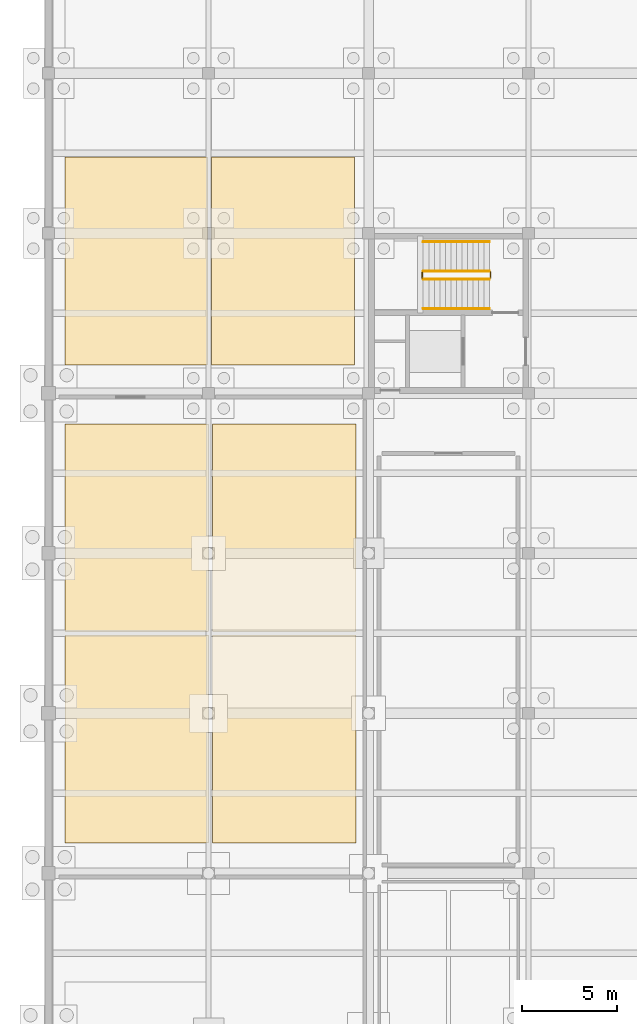
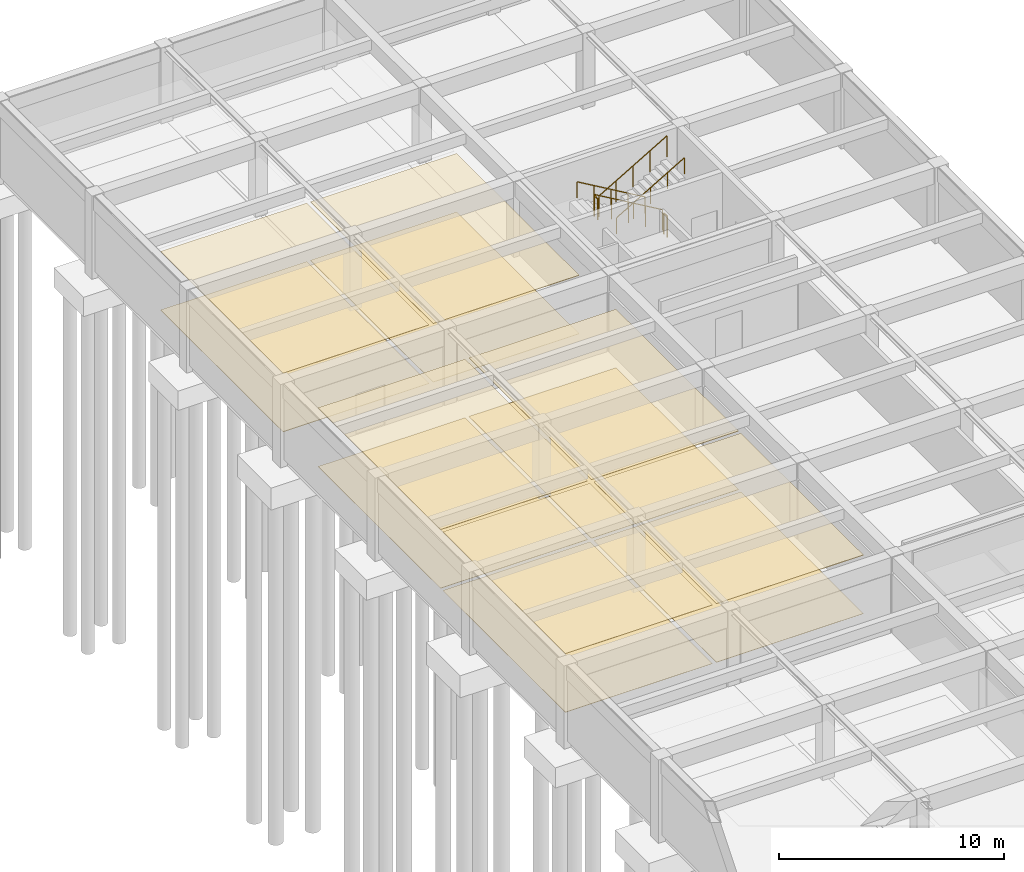
# One storey, part 27 of 33: 12 coverings, 6 railings.
"""IFC4 building model written with IfcOpenShell, lengths in metres."""

import ifcopenshell
import ifcopenshell.guid

model = None  # the IFC model being written
_history = None  # IfcOwnerHistory: only IFC2X3 demands one
_inside = {}  # id of a spatial element -> (the spatial element, [elements in it])
_under = {}  # id of a project, library or spatial element -> (it, [spatial elements below it])
_declared = {}  # id of a project -> (the project, [libraries it declares])
_typed = {}  # id of a type object -> (the type object, [elements of that type])
_made_of = {}  # id of a material, layer set ... -> (it, [elements and type objects made of it])


def new_model(schema):
    """Start an empty IFC model of exactly this schema.

    Asked for "IFC4X3", IfcOpenShell would pick the latest addendum, in which some entities
    have other attributes; the version numbers below select the first issue.
    IFC2X3 requires an IfcOwnerHistory on every rooted entity: one is made here for all.
    """
    global model, _history
    if schema == "IFC4X3":
        model = ifcopenshell.file(schema_version=(4, 3, 0, 0))
    else:
        model = ifcopenshell.file(schema=schema)
    _inside.clear()
    _under.clear()
    _declared.clear()
    _typed.clear()
    _made_of.clear()
    _history = None
    if model.schema == "IFC2X3":
        org = make("IfcOrganization", Name="unknown")
        user = make(
            "IfcPersonAndOrganization",
            ThePerson=make("IfcPerson", FamilyName="unknown"),
            TheOrganization=org,
        )
        app = make(
            "IfcApplication",
            ApplicationDeveloper=org,
            Version="unknown",
            ApplicationFullName="unknown",
            ApplicationIdentifier="unknown",
        )
        _history = make(
            "IfcOwnerHistory",
            OwningUser=user,
            OwningApplication=app,
            ChangeAction="ADDED",
            CreationDate=0,
        )
    return model


def make(cls, **values):
    """One entity of the class cls with the attributes given. An attribute that is None is left unset."""
    return model.create_entity(
        cls, **{name: value for name, value in values.items() if value is not None}
    )


def rooted(cls, **values):
    """An entity with a GlobalId (a new one), such as an element, a storey or a relation."""
    return make(cls, GlobalId=ifcopenshell.guid.new(), OwnerHistory=_history, **values)


def si_unit(unit_type, name, prefix=None):
    """IfcSIUnit, for example si_unit("LENGTHUNIT", "METRE", prefix="MILLI")."""
    return make("IfcSIUnit", UnitType=unit_type, Prefix=prefix, Name=name)


def assignment(units):
    """IfcUnitAssignment: the units of a project."""
    return None if units is None else make("IfcUnitAssignment", Units=units)


def point(xyz):
    """IfcCartesianPoint."""
    return None if xyz is None else make("IfcCartesianPoint", Coordinates=xyz)


def direction(xyz):
    """IfcDirection."""
    return None if xyz is None else make("IfcDirection", DirectionRatios=xyz)


def frame(location, z_axis=None, x_axis=None):
    """IfcAxis2Placement3D, a coordinate frame: its origin and axes. An axis left out is left unset."""
    return make(
        "IfcAxis2Placement3D",
        Location=point(location),
        Axis=direction(z_axis),
        RefDirection=direction(x_axis),
    )


def frame_2d(location, x_axis=None):
    """IfcAxis2Placement2D, a coordinate frame in the plane: its origin and x axis."""
    return make(
        "IfcAxis2Placement2D", Location=point(location), RefDirection=direction(x_axis)
    )


def origin():
    """The frame at (0, 0, 0) with its axes left unset."""
    return frame((0.0, 0.0, 0.0))


def origin_2d():
    """The frame at (0, 0) in the plane with its x axis left unset."""
    return frame_2d((0.0, 0.0))


def place(relative_to, where):
    """IfcLocalPlacement: puts the frame where relative to a parent placement (None: the world)."""
    return make(
        "IfcLocalPlacement", PlacementRelTo=relative_to, RelativePlacement=where
    )


def context(
    kind, dimensions, precision=None, world=None, true_north=None, identifier=None
):
    """IfcGeometricRepresentationContext, for example the 3D "Model" context."""
    return make(
        "IfcGeometricRepresentationContext",
        ContextIdentifier=identifier,
        ContextType=kind,
        CoordinateSpaceDimension=dimensions,
        Precision=precision,
        WorldCoordinateSystem=world,
        TrueNorth=true_north,
    )


def subcontext(parent, identifier, kind, view, scale=None):
    """IfcGeometricRepresentationSubContext, for example "Body" below "Model"."""
    return make(
        "IfcGeometricRepresentationSubContext",
        ContextIdentifier=identifier,
        ContextType=kind,
        ParentContext=parent,
        TargetScale=scale,
        TargetView=view,
    )


def project(units=None, contexts=None):
    """IfcProject with its units and contexts."""
    return rooted(
        "IfcProject",
        Name="project",
        RepresentationContexts=contexts,
        UnitsInContext=assignment(units),
    )


def spatial(cls, under=None, at=None, **own):
    """A site, building, storey or space (cls), placed at a placement, below another one or the project."""
    s = rooted(cls, ObjectPlacement=at, **own)
    if under is not None:
        _under.setdefault(under.id(), (under, []))[1].append(s)
    return s


def profile(cls, at=None, kind="AREA", **sizes):
    """A parametric profile (cls). Its sizes go by their IFC names, for example OverallWidth=200.0."""
    return make(cls, ProfileType=kind, Position=at, **sizes)


def rectangle(**sizes):
    """IfcRectangleProfileDef."""
    return profile("IfcRectangleProfileDef", **sizes)


def circle(**sizes):
    """IfcCircleProfileDef."""
    return profile("IfcCircleProfileDef", **sizes)


def extrude(swept, where, along, depth):
    """IfcExtrudedAreaSolid: the profile swept, set in the frame where, extruded along a direction by depth."""
    return make(
        "IfcExtrudedAreaSolid",
        SweptArea=swept,
        Position=where,
        ExtrudedDirection=direction(along),
        Depth=depth,
    )


def shape(context_of_items, identifier, shape_type, items):
    """IfcShapeRepresentation: the items that make up one representation, for example the "Body"."""
    return make(
        "IfcShapeRepresentation",
        ContextOfItems=context_of_items,
        RepresentationIdentifier=identifier,
        RepresentationType=shape_type,
        Items=items,
    )


def material(Name=None, Category=None):
    """IfcMaterial."""
    return make("IfcMaterial", Name=Name, Category=Category)


def layer(
    of_material, thickness, ventilated=None, Name=None, Category=None, Priority=None
):
    """IfcMaterialLayer: one layer of a wall or slab, of a material (None: an air gap)."""
    return make(
        "IfcMaterialLayer",
        Material=of_material,
        LayerThickness=thickness,
        IsVentilated=ventilated,
        Name=Name,
        Category=Category,
        Priority=Priority,
    )


def layer_set(layers, Name=None):
    """IfcMaterialLayerSet."""
    return make("IfcMaterialLayerSet", MaterialLayers=layers, LayerSetName=Name)


def made_of(thing, what):
    """Note that an element or type object is made of a material, layer set ...; save() writes the relation."""
    if what is not None:
        _made_of.setdefault(what.id(), (what, []))[1].append(thing)
    return thing


def type_object(cls, material=None, **own):
    """A type object (cls), such as IfcWallType, which elements share."""
    return made_of(rooted(cls, **own), material)


def element(
    cls,
    number,
    at=None,
    inside=None,
    cuts=None,
    type_object=None,
    material=None,
    context=None,
    identifier="Body",
    shape_type=None,
    held_by="IfcProductDefinitionShape",
    body=None,
    shapes=None,
    **own,
):
    """One element of the class cls, such as IfcWall. Its Tag is "e" and its number.

    at: its placement. inside: the storey or other place that contains it. cuts: it is an
    opening in that element (IfcRelVoidsElement). A single representation is given by context,
    identifier, shape_type and body (its items); several are given by shapes. held_by: the class
    of the entity that holds the representations. save() writes the other relations.
    """
    e = rooted(cls, Tag="e%d" % number, ObjectPlacement=at, **own)
    if body is not None:
        shapes = [shape(context, identifier, shape_type, body)]
    if shapes is not None:
        e.Representation = make(held_by, Representations=shapes)
    if inside is not None:
        _inside.setdefault(inside.id(), (inside, []))[1].append(e)
    if cuts is not None:
        rooted(
            "IfcRelVoidsElement", RelatingBuildingElement=cuts, RelatedOpeningElement=e
        )
    if type_object is not None:
        _typed.setdefault(type_object.id(), (type_object, []))[1].append(e)
    return made_of(e, material)


def aggregate(whole, parts):
    """IfcRelAggregates: a whole, such as a stair, and the parts it consists of."""
    return rooted("IfcRelAggregates", RelatingObject=whole, RelatedObjects=parts)


def save(model, path):
    """Write the relations noted so far, then the file.

    IfcRelAggregates (storeys below a building ...), IfcRelContainedInSpatialStructure (elements
    in a storey), IfcRelDefinesByType, IfcRelAssociatesMaterial and IfcRelDeclares: one each for
    every whole, place, type object, material and project.
    """
    for whole, parts in _under.values():
        aggregate(whole, parts)
    for where, things in _inside.values():
        rooted(
            "IfcRelContainedInSpatialStructure",
            RelatedElements=things,
            RelatingStructure=where,
        )
    for kind, things in _typed.values():
        rooted("IfcRelDefinesByType", RelatedObjects=things, RelatingType=kind)
    for what, things in _made_of.values():
        rooted("IfcRelAssociatesMaterial", RelatedObjects=things, RelatingMaterial=what)
    for by, libraries in _declared.values():
        rooted("IfcRelDeclares", RelatingContext=by, RelatedDefinitions=libraries)
    model.write(path)


model = new_model("IFC4")

# Units and contexts
model_context = context("Model", 3, precision=1e-05, world=origin(), true_north=direction((0.0, 1.0)))
body_context = subcontext(model_context, "Body", "Model", "MODEL_VIEW")
ifc_project = project(units=[si_unit("LENGTHUNIT", "METRE"), si_unit("AREAUNIT", "SQUARE_METRE"), si_unit("VOLUMEUNIT", "CUBIC_METRE"), si_unit("PLANEANGLEUNIT", "RADIAN"), si_unit("MASSUNIT", "GRAM", prefix="KILO")], contexts=[model_context])

# Site, building, storey
site_placement = place(None, origin())
site = spatial("IfcSite", under=ifc_project, at=site_placement, CompositionType="ELEMENT")
building_placement = place(site_placement, origin())
building = spatial("IfcBuilding", under=site, at=building_placement, Name="Kveldsbrygga Polytechnic", CompositionType="ELEMENT")
storey_placement = place(building_placement, frame((0.0, 0.0, -4.419921875)))
storey = spatial("IfcBuildingStorey", under=building, at=storey_placement, Name="B1", CompositionType="ELEMENT", Elevation=-4.419921875)

# Coverings
ifc_material_1 = material(Name="Acoustic mineral baffle ceiling")
ifc_layer_1 = layer(ifc_material_1, 0.030029296875)
ifc_layer_set_1 = layer_set([ifc_layer_1], Name="Acoustic mineral baffle ceiling")
covering_type_1 = type_object("IfcCoveringType", Name="COV-CEIL-AC30", PredefinedType="CEILING", material=ifc_layer_set_1)
for number, where, z_axis, x_axis, name in (
    (1, (4.625, 65.85009765625, 3.169921875), (0.0, 0.0, 1.0), (1.0, 0.0, 0.0), "Acoustic Ceiling SP-B1-TEST2-WS"),
    (2, (4.625, 76.949951171875, 3.169921875), (0.0, 0.0, 1.0), (1.0, 0.0, 0.0), "Acoustic Ceiling SP-B1-TEST2-WN"),
    (3, (12.375, 65.85009765625, 3.169921875), (0.0, 0.0, 1.0), (1.0, 0.0, 0.0), "Acoustic Ceiling SP-B1-TEST2-ES"),
    (4, (12.375, 76.949951171875, 3.169921875), (0.0, 0.0, 1.0), (1.0, 0.0, 0.0), "Acoustic Ceiling SP-B1-TEST2-EN"),
):
    element("IfcCovering", number, at=place(storey_placement, frame(where, z_axis=z_axis, x_axis=x_axis)), inside=storey, type_object=covering_type_1, Name=name, PredefinedType="CEILING", context=body_context, shape_type="SweptSolid", body=[
        extrude(rectangle(XDim=7.550048828125, YDim=10.89990234375, at=origin_2d()), origin(), (0.0, 0.0, 1.0), 0.030029296875),
    ])
for number, where, z_axis, x_axis, name in (
    (5, (4.60009765625, 90.949951171875, 3.169921875), (0.0, 0.0, 1.0), (1.0, 0.0, 0.0), "Acoustic Ceiling SP-B1-WSTOR1-WS"),
    (6, (12.300048828125, 90.949951171875, 3.169921875), (0.0, 0.0, 1.0), (1.0, 0.0, 0.0), "Acoustic Ceiling SP-B1-WSTOR1-ES"),
):
    element("IfcCovering", number, at=place(storey_placement, frame(where, z_axis=z_axis, x_axis=x_axis)), inside=storey, type_object=covering_type_1, Name=name, PredefinedType="CEILING", context=body_context, shape_type="SweptSolid", body=[
        extrude(rectangle(XDim=7.5, YDim=10.89990234375, at=origin_2d()), origin(), (0.0, 0.0, 1.0), 0.030029296875),
    ])
ifc_material_2 = material(Name="Heavy-duty quartz-filled epoxy resin flooring")
ifc_layer_2 = layer(ifc_material_2, 0.014892578125)
ifc_layer_set_2 = layer_set([ifc_layer_2], Name="Heavy-duty quartz-filled epoxy resin flooring")
covering_type_2 = type_object("IfcCoveringType", Name="COV-FLR-EPX15", PredefinedType="FLOORING", material=ifc_layer_set_2)
for number, where, z_axis, x_axis, name in (
    (7, (4.625, 65.85009765625, 0.0), (0.0, 0.0, 1.0), (1.0, 0.0, 0.0), "Room Flooring SP-B1-TEST2-WS"),
    (8, (4.625, 76.949951171875, 0.0), (0.0, 0.0, 1.0), (1.0, 0.0, 0.0), "Room Flooring SP-B1-TEST2-WN"),
    (9, (12.375, 65.85009765625, 0.0), (0.0, 0.0, 1.0), (1.0, 0.0, 0.0), "Room Flooring SP-B1-TEST2-ES"),
    (10, (12.375, 76.949951171875, 0.0), (0.0, 0.0, 1.0), (1.0, 0.0, 0.0), "Room Flooring SP-B1-TEST2-EN"),
):
    element("IfcCovering", number, at=place(storey_placement, frame(where, z_axis=z_axis, x_axis=x_axis)), inside=storey, type_object=covering_type_2, Name=name, PredefinedType="FLOORING", context=body_context, shape_type="SweptSolid", body=[
        extrude(rectangle(XDim=7.550048828125, YDim=10.89990234375, at=origin_2d()), origin(), (0.0, 0.0, 1.0), 0.014892578125),
    ])
ifc_material_3 = material(Name="Acoustic oak timber flooring", Category="wood")
ifc_layer_3 = layer(ifc_material_3, 0.02197265625)
ifc_layer_set_3 = layer_set([ifc_layer_3], Name="Acoustic oak timber flooring")
covering_type_3 = type_object("IfcCoveringType", Name="COV-FLR-OAK22", PredefinedType="FLOORING", material=ifc_layer_set_3)
for number, where, z_axis, x_axis, name in (
    (11, (4.60009765625, 90.949951171875, 0.0), (0.0, 0.0, 1.0), (1.0, 0.0, 0.0), "Room Flooring SP-B1-WSTOR1-WS"),
    (12, (12.300048828125, 90.949951171875, 0.0), (0.0, 0.0, 1.0), (1.0, 0.0, 0.0), "Room Flooring SP-B1-WSTOR1-ES"),
):
    element("IfcCovering", number, at=place(storey_placement, frame(where, z_axis=z_axis, x_axis=x_axis)), inside=storey, type_object=covering_type_3, Name=name, PredefinedType="FLOORING", context=body_context, shape_type="SweptSolid", body=[
        extrude(rectangle(XDim=7.5, YDim=10.89990234375, at=origin_2d()), origin(), (0.0, 0.0, 1.0), 0.02197265625),
    ])

# Railings
ifc_material_4 = material(Name="Steel S355", Category="steel")
railing_type_1 = type_object("IfcRailingType", Name="RL-STAIR-GRD", PredefinedType="GUARDRAIL", material=ifc_material_4)
railing_1_placement = place(storey_placement, frame((23.14990234375, 90.39990234375, 0.169921875)))
element("IfcRailing", 13, at=railing_1_placement, inside=storey, type_object=railing_type_1, Name="B1 ST-8 stair guard 1", PredefinedType="GUARDRAIL", context=body_context, shape_type="SweptSolid", body=[
    extrude(circle(Radius=0.02392578125, at=origin_2d()), frame((0.0, 0.0, 1.1259765625), z_axis=(-0.862692506924, 0.0, 0.505728819128), x_axis=(0.0, -1.0, 0.0)), (0.0, 0.0, 1.0), 4.033935546875),
    extrude(circle(Radius=0.02099609375, at=origin_2d()), origin(), (0.0, 0.0, 1.0), 1.097900390625),
    extrude(circle(Radius=0.02099609375, at=origin_2d()), frame((-0.8701171875, 0.0, 0.510009765625)), (0.0, 0.0, 1.0), 1.097900390625),
    extrude(circle(Radius=0.02099609375, at=origin_2d()), frame((-1.739990234375, 0.0, 1.02001953125)), (0.0, 0.0, 1.0), 1.097900390625),
    extrude(circle(Radius=0.02099609375, at=origin_2d()), frame((-2.60986328125, 0.0, 1.530029296875)), (0.0, 0.0, 1.0), 1.097900390625),
    extrude(circle(Radius=0.02099609375, at=origin_2d()), frame((-3.47998046875, 0.0, 2.0400390625)), (0.0, 0.0, 1.0), 1.097900390625),
])
railing_2_placement = place(storey_placement, frame((19.6201171875, 90.35009765625, 2.2099609375)))
element("IfcRailing", 14, at=railing_2_placement, inside=storey, type_object=railing_type_1, Name="B1 ST-8 stair guard 2", PredefinedType="GUARDRAIL", context=body_context, shape_type="SweptSolid", body=[
    extrude(circle(Radius=0.02392578125, at=origin_2d()), frame((0.0, 0.0, 1.1259765625), z_axis=(0.0, -1.0, 0.0), x_axis=(1.0, 0.0, 0.0)), (0.0, 0.0, 1.0), 0.300048828125),
    extrude(circle(Radius=0.02099609375, at=origin_2d()), origin(), (0.0, 0.0, 1.0), 1.097900390625),
    extrude(circle(Radius=0.02099609375, at=origin_2d()), frame((0.0, -0.300048828125, 0.0)), (0.0, 0.0, 1.0), 1.097900390625),
])
railing_3_placement = place(storey_placement, frame((19.669921875, 90.0, 2.3798828125)))
element("IfcRailing", 15, at=railing_3_placement, inside=storey, type_object=railing_type_1, Name="B1 ST-8 stair guard 3", PredefinedType="GUARDRAIL", context=body_context, shape_type="SweptSolid", body=[
    extrude(circle(Radius=0.02392578125, at=origin_2d()), frame((0.0, 0.0, 1.1259765625), z_axis=(0.862692506924, 0.0, 0.505728819128), x_axis=(0.0, 1.0, 0.0)), (0.0, 0.0, 1.0), 4.033935546875),
    extrude(circle(Radius=0.02099609375, at=origin_2d()), origin(), (0.0, 0.0, 1.0), 1.097900390625),
    extrude(circle(Radius=0.02099609375, at=origin_2d()), frame((0.8701171875, 0.0, 0.510009765625)), (0.0, 0.0, 1.0), 1.097900390625),
    extrude(circle(Radius=0.02099609375, at=origin_2d()), frame((1.739990234375, 0.0, 1.02001953125)), (0.0, 0.0, 1.0), 1.097900390625),
    extrude(circle(Radius=0.02099609375, at=origin_2d()), frame((2.60986328125, 0.0, 1.530029296875)), (0.0, 0.0, 1.0), 1.097900390625),
    extrude(circle(Radius=0.02099609375, at=origin_2d()), frame((3.47998046875, 0.0, 2.0400390625)), (0.0, 0.0, 1.0), 1.097900390625),
])
railing_4_placement = place(storey_placement, frame((23.199951171875, 90.35009765625, 0.0)))
element("IfcRailing", 16, at=railing_4_placement, inside=storey, type_object=railing_type_1, Name="B1 ST-8 stair guard 4", PredefinedType="GUARDRAIL", context=body_context, shape_type="SweptSolid", body=[
    extrude(circle(Radius=0.02392578125, at=origin_2d()), frame((0.0, 0.0, 1.1259765625), z_axis=(0.0, -1.0, 0.0), x_axis=(1.0, 0.0, 0.0)), (0.0, 0.0, 1.0), 0.300048828125),
    extrude(circle(Radius=0.02099609375, at=origin_2d()), origin(), (0.0, 0.0, 1.0), 1.097900390625),
    extrude(circle(Radius=0.02099609375, at=origin_2d()), frame((0.0, -0.300048828125, 0.0)), (0.0, 0.0, 1.0), 1.097900390625),
])
railing_type_2 = type_object("IfcRailingType", Name="RL-STAIR-HND", PredefinedType="HANDRAIL", material=ifc_material_4)
railing_5_placement = place(storey_placement, frame((23.14990234375, 91.949951171875, 0.169921875)))
element("IfcRailing", 17, at=railing_5_placement, inside=storey, type_object=railing_type_2, Name="B1 ST-8 stair handrail 1", PredefinedType="HANDRAIL", context=body_context, shape_type="SweptSolid", body=[
    extrude(circle(Radius=0.02392578125, at=origin_2d()), frame((0.0, 0.0, 0.8759765625), z_axis=(-0.862692506924, 0.0, 0.505728819128), x_axis=(0.0, -1.0, 0.0)), (0.0, 0.0, 1.0), 4.033935546875),
    extrude(circle(Radius=0.02099609375, at=origin_2d()), origin(), (0.0, 0.0, 1.0), 0.847900390625),
    extrude(circle(Radius=0.02099609375, at=origin_2d()), frame((-0.8701171875, 0.0, 0.510009765625)), (0.0, 0.0, 1.0), 0.847900390625),
    extrude(circle(Radius=0.02099609375, at=origin_2d()), frame((-1.739990234375, 0.0, 1.02001953125)), (0.0, 0.0, 1.0), 0.847900390625),
    extrude(circle(Radius=0.02099609375, at=origin_2d()), frame((-2.60986328125, 0.0, 1.530029296875)), (0.0, 0.0, 1.0), 0.847900390625),
    extrude(circle(Radius=0.02099609375, at=origin_2d()), frame((-3.47998046875, 0.0, 2.0400390625)), (0.0, 0.0, 1.0), 0.847900390625),
])
railing_6_placement = place(storey_placement, frame((19.669921875, 88.449951171875, 2.3798828125)))
element("IfcRailing", 18, at=railing_6_placement, inside=storey, type_object=railing_type_2, Name="B1 ST-8 stair handrail 2", PredefinedType="HANDRAIL", context=body_context, shape_type="SweptSolid", body=[
    extrude(circle(Radius=0.02392578125, at=origin_2d()), frame((0.0, 0.0, 0.8759765625), z_axis=(0.862692506924, 0.0, 0.505728819128), x_axis=(0.0, 1.0, 0.0)), (0.0, 0.0, 1.0), 4.033935546875),
    extrude(circle(Radius=0.02099609375, at=origin_2d()), origin(), (0.0, 0.0, 1.0), 0.847900390625),
    extrude(circle(Radius=0.02099609375, at=origin_2d()), frame((0.8701171875, 0.0, 0.510009765625)), (0.0, 0.0, 1.0), 0.847900390625),
    extrude(circle(Radius=0.02099609375, at=origin_2d()), frame((1.739990234375, 0.0, 1.02001953125)), (0.0, 0.0, 1.0), 0.847900390625),
    extrude(circle(Radius=0.02099609375, at=origin_2d()), frame((2.60986328125, 0.0, 1.530029296875)), (0.0, 0.0, 1.0), 0.847900390625),
    extrude(circle(Radius=0.02099609375, at=origin_2d()), frame((3.47998046875, 0.0, 2.0400390625)), (0.0, 0.0, 1.0), 0.847900390625),
])

save(model, "model.ifc")
